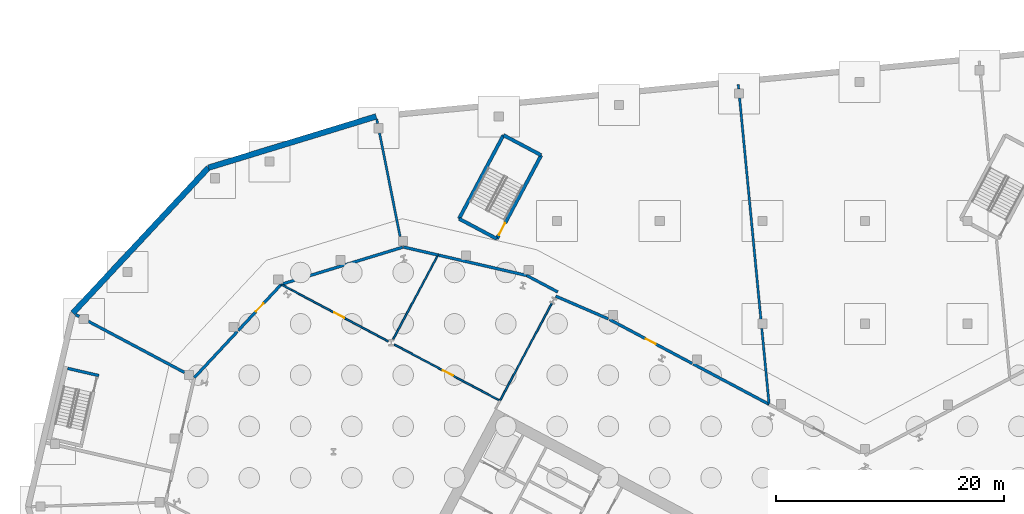
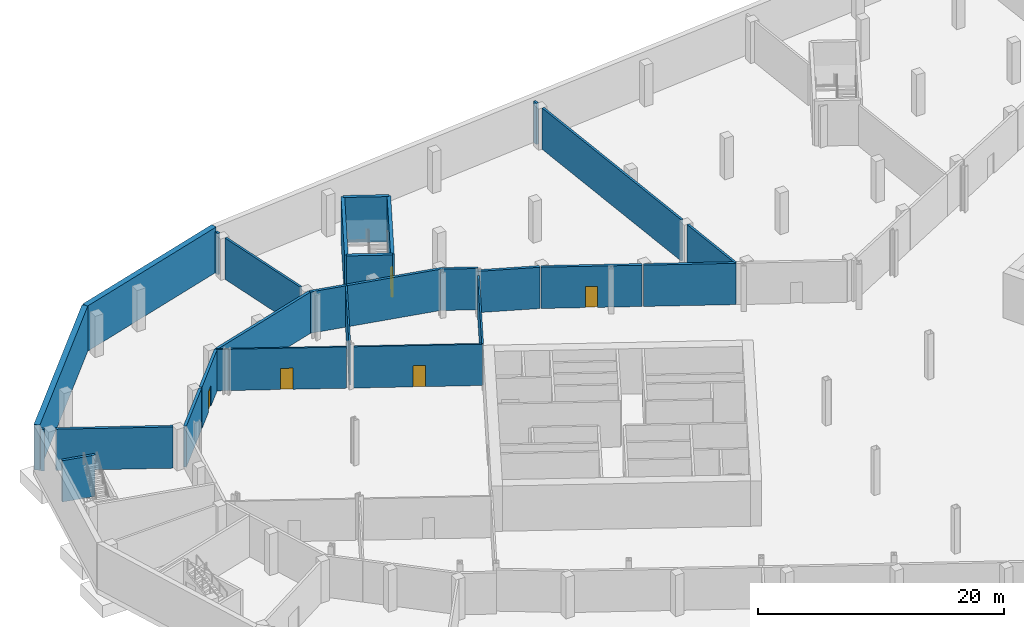
# One storey, part 16 of 29: 28 walls, 5 doors, 5 openings.
"""IFC4 building model written with IfcOpenShell, lengths in metres."""

from ifc_helpers import new_model, si_unit, direction, frame, frame_2d, origin, place, context, subcontext, project, spatial, rectangle, extrude, material, layer, layer_set, type_object, element, fill, save


model = new_model("IFC4")

# Units and contexts
model_context = context("Model", 3, precision=1e-05, world=origin(), true_north=direction((0.0, 1.0)))
body_context = subcontext(model_context, "Body", "Model", "MODEL_VIEW")
ifc_project = project(units=[si_unit("LENGTHUNIT", "METRE"), si_unit("AREAUNIT", "SQUARE_METRE"), si_unit("VOLUMEUNIT", "CUBIC_METRE"), si_unit("PLANEANGLEUNIT", "RADIAN"), si_unit("MASSUNIT", "GRAM", prefix="KILO")], contexts=[model_context])

# Site, building, storey
site_placement = place(None, origin())
site = spatial("IfcSite", under=ifc_project, at=site_placement, CompositionType="ELEMENT")
building_placement = place(site_placement, origin())
building = spatial("IfcBuilding", under=site, at=building_placement, Name="Cormorant Relay Tower", CompositionType="ELEMENT")
storey_placement = place(building_placement, frame((0.0, 0.0, -9.0)))
storey = spatial("IfcBuildingStorey", under=building, at=storey_placement, Name="B2", CompositionType="ELEMENT", Elevation=-9.0)

# Walls
ifc_material_1 = material(Name="Concrete masonry 20 MPa", Category="masonry")
ifc_layer_1 = layer(ifc_material_1, 0.25)
ifc_layer_set_1 = layer_set([ifc_layer_1], Name="Fire separation wall 250")
wall_type_1 = type_object("IfcWallType", Name="Fire separation wall 250", PredefinedType="SOLIDWALL", material=ifc_layer_set_1)
wall_1_placement = place(storey_placement, frame((-37.4501953125, 42.033203125, 0.0), z_axis=(0.0, 0.0, 1.0), x_axis=(0.97436957048, -0.224953195404, 0.0)))
element("IfcWall", 1, at=wall_1_placement, inside=storey, type_object=wall_type_1, Name="Partition", PredefinedType="SOLIDWALL", context=body_context, shape_type="SweptSolid", body=[
    extrude(rectangle(XDim=7.9931640625, YDim=0.25, at=frame_2d((3.99658203125, 0.0))), origin(), (0.0, 0.0, 1.0), 4.10009765625),
])
wall_2_placement = place(storey_placement, frame((-29.661865234375, 40.235107421875, 0.0), z_axis=(0.0, 0.0, 1.0), x_axis=(0.882951412921, -0.469464378224, 0.0)))
element("IfcWall", 2, at=wall_2_placement, inside=storey, type_object=wall_type_1, Name="Partition", PredefinedType="SOLIDWALL", context=body_context, shape_type="SweptSolid", body=[
    extrude(rectangle(XDim=3.0791015625, YDim=0.25, at=frame_2d((1.53955078125, 0.0))), origin(), (0.0, 0.0, 1.0), 4.10009765625),
])
wall_3_placement = place(storey_placement, frame((-40.4873046875, 42.734130859375, 0.0), z_axis=(0.0, 0.0, 1.0), x_axis=(0.974387235192, -0.224876668186, 0.0)))
element("IfcWall", 3, at=wall_3_placement, inside=storey, type_object=wall_type_1, Name="Partition", PredefinedType="SOLIDWALL", context=body_context, shape_type="SweptSolid", body=[
    extrude(rectangle(XDim=3.116943359375, YDim=0.25, at=frame_2d((1.55859375, 0.0))), origin(), (0.0, 0.0, 1.0), 4.10009765625),
])
wall_4_placement = place(storey_placement, frame((-27.13427734375, 38.429931640625, 0.0), z_axis=(0.0, 0.0, 1.0), x_axis=(0.918029849315, -0.396511280756, 0.0)))
element("IfcWall", 4, at=wall_4_placement, inside=storey, type_object=wall_type_1, Name="Partition", PredefinedType="SOLIDWALL", context=body_context, shape_type="SweptSolid", body=[
    extrude(rectangle(XDim=5.032958984375, YDim=0.25, at=frame_2d((2.5166015625, 0.0))), origin(), (0.0, 0.0, 1.0), 4.10009765625),
])

# Wall, opening, door
wall_5_placement = place(storey_placement, frame((-22.4267578125, 36.387939453125, 0.0), z_axis=(0.0, 0.0, 1.0), x_axis=(0.882947828207, -0.46947112016, 0.0)))
wall_5 = element("IfcWall", 5, at=wall_5_placement, inside=storey, type_object=wall_type_1, Name="Partition", PredefinedType="SOLIDWALL", context=body_context, shape_type="SweptSolid", body=[
    extrude(rectangle(XDim=8.249267578125, YDim=0.25, at=frame_2d((4.12451171875, 0.0))), origin(), (0.0, 0.0, 1.0), 4.10009765625),
])
opening_1_placement = place(wall_5_placement, frame((3.625, 0.0, 0.0)))
opening_1 = element("IfcOpeningElement", 6, at=opening_1_placement, cuts=wall_5, Name="Opening PD1-013", PredefinedType="OPENING", context=body_context, shape_type="SweptSolid", body=[
    extrude(rectangle(XDim=1.0, YDim=2.10009765625, at=frame_2d((0.5, 1.050048828125))), frame((0.0, 0.135009765625, 0.0), z_axis=(0.0, -1.0, 0.0), x_axis=(1.0, 0.0, 0.0)), (0.0, 0.0, 1.0), 0.27001953125),
])
ifc_material_2 = material(Name="Steel door leaf", Category="steel")
door_type_1 = type_object("IfcDoorType", Name="Door single 1000", OperationType="SINGLE_SWING_LEFT", PredefinedType="DOOR", material=ifc_material_2)
door_1_placement = place(opening_1_placement, origin())
door_1 = element("IfcDoor", 7, at=door_1_placement, inside=storey, type_object=door_type_1, Name="Door", OperationType="SINGLE_SWING_RIGHT", OverallHeight=2.10009765625, OverallWidth=1.0, PredefinedType="DOOR", context=body_context, shape_type="SweptSolid", body=[
    extrude(rectangle(XDim=1.0, YDim=2.10009765625, at=frame_2d((0.5, 1.050048828125))), frame((0.0, 0.02490234375, 0.0), z_axis=(0.0, -1.0, 0.0), x_axis=(1.0, 0.0, 0.0)), (0.0, 0.0, 1.0), 0.050048828125),
])
fill(opening_1, door_1)

# Walls
wall_6_placement = place(storey_placement, frame((-15.05615234375, 32.468994140625, 0.0), z_axis=(0.0, 0.0, 1.0), x_axis=(0.882954463929, -0.469458639954, 0.0)))
element("IfcWall", 8, at=wall_6_placement, inside=storey, type_object=wall_type_1, Name="Partition", PredefinedType="SOLIDWALL", context=body_context, shape_type="SweptSolid", body=[
    extrude(rectangle(XDim=7.52978515625, YDim=0.25, at=frame_2d((3.764892578125, 0.0))), origin(), (0.0, 0.0, 1.0), 4.10009765625),
])
wall_7_placement = place(storey_placement, frame((-69.21728515625, 36.803466796875, 0.0), z_axis=(0.0, 0.0, 1.0), x_axis=(0.882841235484, -0.469671537278, 0.0)))
element("IfcWall", 9, at=wall_7_placement, inside=storey, type_object=wall_type_1, Name="Partition", PredefinedType="SOLIDWALL", context=body_context, shape_type="SweptSolid", body=[
    extrude(rectangle(XDim=0.345703125, YDim=0.25, at=frame_2d((0.1728515625, 0.0))), origin(), (0.0, 0.0, 1.0), 4.10009765625),
])
wall_8_placement = place(storey_placement, frame((-68.112060546875, 36.2158203125, 0.0), z_axis=(0.0, 0.0, 1.0), x_axis=(0.882949504028, -0.469467968382, 0.0)))
element("IfcWall", 10, at=wall_8_placement, inside=storey, type_object=wall_type_1, Name="Partition", PredefinedType="SOLIDWALL", context=body_context, shape_type="SweptSolid", body=[
    extrude(rectangle(XDim=9.550048828125, YDim=0.25, at=frame_2d((4.77490234375, 0.0))), origin(), (0.0, 0.0, 1.0), 4.10009765625),
])
wall_9_placement = place(storey_placement, frame((-58.823974609375, 31.272705078125, 0.0), z_axis=(0.0, 0.0, 1.0), x_axis=(0.681856343792, 0.73148610816, 0.0)))
element("IfcWall", 11, at=wall_9_placement, inside=storey, type_object=wall_type_1, Name="Partition", PredefinedType="SOLIDWALL", context=body_context, shape_type="SweptSolid", body=[
    extrude(rectangle(XDim=5.519287109375, YDim=0.25, at=frame_2d((2.759765625, 0.0))), origin(), (0.0, 0.0, 1.0), 4.10009765625),
])

# Wall, opening, door
wall_10_placement = place(storey_placement, frame((-54.971923828125, 35.405029296875, 0.0), z_axis=(0.0, 0.0, 1.0), x_axis=(0.681862401645, 0.731480461273, 0.0)))
wall_10 = element("IfcWall", 12, at=wall_10_placement, inside=storey, type_object=wall_type_1, Name="Partition", PredefinedType="SOLIDWALL", context=body_context, shape_type="SweptSolid", body=[
    extrude(rectangle(XDim=5.535400390625, YDim=0.25, at=frame_2d((2.767578125, 0.0))), origin(), (0.0, 0.0, 1.0), 4.10009765625),
])
opening_2_placement = place(wall_10_placement, frame((2.26806640625, 0.0, 0.0)))
opening_2 = element("IfcOpeningElement", 13, at=opening_2_placement, cuts=wall_10, Name="Opening PD1-014", PredefinedType="OPENING", context=body_context, shape_type="SweptSolid", body=[
    extrude(rectangle(XDim=1.0, YDim=2.10009765625, at=frame_2d((0.5, 1.050048828125))), frame((0.0, 0.135009765625, 0.0), z_axis=(0.0, -1.0, 0.0), x_axis=(1.0, 0.0, 0.0)), (0.0, 0.0, 1.0), 0.27001953125),
])
door_2_placement = place(opening_2_placement, origin())
door_2 = element("IfcDoor", 14, at=door_2_placement, inside=storey, type_object=door_type_1, Name="Door", OperationType="SINGLE_SWING_RIGHT", OverallHeight=2.10009765625, OverallWidth=1.0, PredefinedType="DOOR", context=body_context, shape_type="SweptSolid", body=[
    extrude(rectangle(XDim=1.0, YDim=2.10009765625, at=frame_2d((0.5, 1.050048828125))), frame((0.0, 0.02490234375, 0.0), z_axis=(0.0, -1.0, 0.0), x_axis=(1.0, 0.0, 0.0)), (0.0, 0.0, 1.0), 0.050048828125),
])
fill(opening_2, door_2)

# Walls
wall_11_placement = place(storey_placement, frame((-51.190185546875, 39.4619140625, 0.0), z_axis=(0.0, 0.0, 1.0), x_axis=(0.956306774144, 0.29236510347, 0.0)))
element("IfcWall", 15, at=wall_11_placement, inside=storey, type_object=wall_type_1, Name="Partition", PredefinedType="SOLIDWALL", context=body_context, shape_type="SweptSolid", body=[
    extrude(rectangle(XDim=11.129638671875, YDim=0.25, at=frame_2d((5.56494140625, 0.0))), origin(), (0.0, 0.0, 1.0), 4.10009765625),
])
wall_12_placement = place(storey_placement, frame((-69.924560546875, 32.09033203125, 0.0), z_axis=(0.0, 0.0, 1.0), x_axis=(0.974369148124, -0.224955024802, 0.0)))
element("IfcWall", 16, at=wall_12_placement, inside=storey, type_object=wall_type_1, Name="Stair enclosure wall", PredefinedType="SOLIDWALL", context=body_context, shape_type="SweptSolid", body=[
    extrude(rectangle(XDim=2.800048828125, YDim=0.25, at=frame_2d((1.39990234375, 0.0))), origin(), (0.0, 0.0, 1.0), 4.10009765625),
])

# Wall, opening, door
ifc_material_3 = material(Name="Gypsum board on steel stud", Category="steel")
ifc_layer_2 = layer(ifc_material_3, 0.14990234375)
ifc_layer_set_2 = layer_set([ifc_layer_2], Name="Partition 150")
wall_type_2 = type_object("IfcWallType", Name="Partition 150", PredefinedType="PARTITIONING", material=ifc_layer_set_2)
wall_13_placement = place(storey_placement, frame((-32.013427734375, 29.253662109375, 0.0), z_axis=(0.0, 0.0, 1.0), x_axis=(-0.882951328121, 0.469464537713, 0.0)))
wall_13 = element("IfcWall", 17, at=wall_13_placement, inside=storey, type_object=wall_type_2, Name="Partition", PredefinedType="PARTITIONING", context=body_context, shape_type="SweptSolid", body=[
    extrude(rectangle(XDim=10.502197265625, YDim=0.14990234375, at=frame_2d((5.2509765625, 0.0))), origin(), (0.0, 0.0, 1.0), 4.10009765625),
])
opening_3_placement = place(wall_13_placement, frame((4.673095703125, 0.0, 0.0)))
opening_3 = element("IfcOpeningElement", 18, at=opening_3_placement, cuts=wall_13, Name="Opening PD1-019", PredefinedType="OPENING", context=body_context, shape_type="SweptSolid", body=[
    extrude(rectangle(XDim=1.0, YDim=2.10009765625, at=frame_2d((0.5, 1.050048828125))), frame((0.0, 0.0849609375, 0.0), z_axis=(0.0, -1.0, 0.0), x_axis=(1.0, 0.0, 0.0)), (0.0, 0.0, 1.0), 0.169921875),
])
door_3_placement = place(opening_3_placement, frame((1.0, 0.0, 0.0), z_axis=(0.0, 0.0, 1.0), x_axis=(-1.0, 0.0, 0.0)))
door_3 = element("IfcDoor", 19, at=door_3_placement, inside=storey, type_object=door_type_1, Name="Door", OperationType="SINGLE_SWING_RIGHT", OverallHeight=2.10009765625, OverallWidth=1.0, PredefinedType="DOOR", context=body_context, shape_type="SweptSolid", body=[
    extrude(rectangle(XDim=1.0, YDim=2.10009765625, at=frame_2d((0.5, 1.050048828125))), frame((0.0, 0.02490234375, 0.0), z_axis=(0.0, -1.0, 0.0), x_axis=(1.0, 0.0, 0.0)), (0.0, 0.0, 1.0), 0.050048828125),
])
fill(opening_3, door_3)

wall_14_placement = place(storey_placement, frame((-41.8115234375, 34.46337890625, 0.0), z_axis=(0.0, 0.0, 1.0), x_axis=(-0.882945529205, 0.469475443935, 0.0)))
wall_14 = element("IfcWall", 20, at=wall_14_placement, inside=storey, type_object=wall_type_2, Name="Partition", PredefinedType="PARTITIONING", context=body_context, shape_type="SweptSolid", body=[
    extrude(rectangle(XDim=9.568603515625, YDim=0.14990234375, at=frame_2d((4.7841796875, 0.0))), origin(), (0.0, 0.0, 1.0), 4.10009765625),
])
opening_4_placement = place(wall_14_placement, frame((4.361572265625, 0.0, 0.0)))
opening_4 = element("IfcOpeningElement", 21, at=opening_4_placement, cuts=wall_14, Name="Opening PD1-020", PredefinedType="OPENING", context=body_context, shape_type="SweptSolid", body=[
    extrude(rectangle(XDim=1.0, YDim=2.10009765625, at=frame_2d((0.5, 1.050048828125))), frame((0.0, 0.0849609375, 0.0), z_axis=(0.0, -1.0, 0.0), x_axis=(1.0, 0.0, 0.0)), (0.0, 0.0, 1.0), 0.169921875),
])
door_4_placement = place(opening_4_placement, frame((1.0, 0.0, 0.0), z_axis=(0.0, 0.0, 1.0), x_axis=(-1.0, 0.0, 0.0)))
door_4 = element("IfcDoor", 22, at=door_4_placement, inside=storey, type_object=door_type_1, Name="Door", OperationType="SINGLE_SWING_RIGHT", OverallHeight=2.10009765625, OverallWidth=1.0, PredefinedType="DOOR", context=body_context, shape_type="SweptSolid", body=[
    extrude(rectangle(XDim=1.0, YDim=2.10009765625, at=frame_2d((0.5, 1.050048828125))), frame((0.0, 0.02490234375, 0.0), z_axis=(0.0, -1.0, 0.0), x_axis=(1.0, 0.0, 0.0)), (0.0, 0.0, 1.0), 0.050048828125),
])
fill(opening_4, door_4)

# Walls
wall_15_placement = place(storey_placement, frame((-50.260009765625, 38.95556640625, 0.0), z_axis=(0.0, 0.0, 1.0), x_axis=(-0.882925119508, 0.469513826572, 0.0)))
element("IfcWall", 23, at=wall_15_placement, inside=storey, type_object=wall_type_2, Name="Partition", PredefinedType="PARTITIONING", context=body_context, shape_type="SweptSolid", body=[
    extrude(rectangle(XDim=1.061767578125, YDim=0.14990234375, at=frame_2d((0.53076171875, 0.0))), origin(), (0.0, 0.0, 1.0), 4.10009765625),
])
wall_16_placement = place(storey_placement, frame((-37.4501953125, 42.033203125, 0.0), z_axis=(0.0, 0.0, 1.0), x_axis=(-0.46946644805, -0.882950312393, 0.0)))
element("IfcWall", 24, at=wall_16_placement, inside=storey, type_object=wall_type_2, Name="Partition", PredefinedType="PARTITIONING", context=body_context, shape_type="SweptSolid", body=[
    extrude(rectangle(XDim=8.373046875, YDim=0.14990234375, at=frame_2d((4.1865234375, 0.0))), origin(), (0.0, 0.0, 1.0), 4.10009765625),
])
wall_17_placement = place(storey_placement, frame((-32.015380859375, 29.25, 0.0), z_axis=(0.0, 0.0, 1.0), x_axis=(0.469462919124, 0.882952188721, 0.0)))
element("IfcWall", 25, at=wall_17_placement, inside=storey, type_object=wall_type_2, Name="Partition", PredefinedType="PARTITIONING", context=body_context, shape_type="SweptSolid", body=[
    extrude(rectangle(XDim=9.687255859375, YDim=0.14990234375, at=frame_2d((4.84375, 0.0))), origin(), (0.0, 0.0, 1.0), 4.10009765625),
])
ifc_material_4 = material(Name="Concrete masonry 20 MPa", Category="masonry")
ifc_layer_3 = layer(ifc_material_4, 0.199951171875)
ifc_layer_set_3 = layer_set([ifc_layer_3], Name="Plant room wall 200")
wall_type_3 = type_object("IfcWallType", Name="Plant room wall 200", PredefinedType="PARTITIONING", material=ifc_layer_set_3)
wall_18_placement = place(storey_placement, frame((-11.115966796875, 56.997802734375, 0.0), z_axis=(0.0, 0.0, 1.0), x_axis=(0.095794311802, -0.995401150203, 0.0)))
element("IfcWall", 26, at=wall_18_placement, inside=storey, type_object=wall_type_3, Name="Partition", PredefinedType="PARTITIONING", context=body_context, shape_type="SweptSolid", body=[
    extrude(rectangle(XDim=0.3974609375, YDim=0.199951171875, at=frame_2d((0.19873046875, 0.0))), origin(), (0.0, 0.0, 1.0), 4.10009765625),
])
wall_19_placement = place(storey_placement, frame((-11.000732421875, 55.802001953125, 0.0), z_axis=(0.0, 0.0, 1.0), x_axis=(0.095942712783, -0.99538685739, 0.0)))
element("IfcWall", 27, at=wall_19_placement, inside=storey, type_object=wall_type_3, Name="Partition", PredefinedType="PARTITIONING", context=body_context, shape_type="SweptSolid", body=[
    extrude(rectangle(XDim=19.491943359375, YDim=0.199951171875, at=frame_2d((9.74609375, 0.0))), origin(), (0.0, 0.0, 1.0), 4.10009765625),
])
wall_20_placement = place(storey_placement, frame((-9.0537109375, 35.60009765625, 0.0), z_axis=(0.0, 0.0, 1.0), x_axis=(0.095939612703, -0.995387156193, 0.0)))
element("IfcWall", 28, at=wall_20_placement, inside=storey, type_object=wall_type_3, Name="Partition", PredefinedType="PARTITIONING", context=body_context, shape_type="SweptSolid", body=[
    extrude(rectangle(XDim=6.6953125, YDim=0.199951171875, at=frame_2d((3.34765625, 0.0))), origin(), (0.0, 0.0, 1.0), 4.10009765625),
])
wall_21_placement = place(storey_placement, frame((-42.81689453125, 53.932373046875, 0.0), z_axis=(0.0, 0.0, 1.0), x_axis=(0.194899081762, -0.980823301073, 0.0)))
element("IfcWall", 29, at=wall_21_placement, inside=storey, type_object=wall_type_3, Name="Partition", PredefinedType="PARTITIONING", context=body_context, shape_type="SweptSolid", body=[
    extrude(rectangle(XDim=0.3857421875, YDim=0.199951171875, at=frame_2d((0.19287109375, 0.0))), origin(), (0.0, 0.0, 1.0), 4.10009765625),
])
wall_22_placement = place(storey_placement, frame((-42.58251953125, 52.75390625, 0.0), z_axis=(0.0, 0.0, 1.0), x_axis=(0.195149741705, -0.980773459221, 0.0)))
element("IfcWall", 30, at=wall_22_placement, inside=storey, type_object=wall_type_3, Name="Partition", PredefinedType="PARTITIONING", context=body_context, shape_type="SweptSolid", body=[
    extrude(rectangle(XDim=9.2802734375, YDim=0.199951171875, at=frame_2d((4.64013671875, 0.0))), origin(), (0.0, 0.0, 1.0), 4.10009765625),
])
ifc_material_5 = material(Name="Concrete 50 MPa", Category="concrete")
ifc_layer_4 = layer(ifc_material_5, 0.300048828125)
ifc_layer_set_4 = layer_set([ifc_layer_4], Name="Remote stair wall 300")
wall_type_4 = type_object("IfcWallType", Name="Remote stair wall 300", PredefinedType="SHEAR", material=ifc_layer_set_4)
wall_23_placement = place(storey_placement, frame((-31.707275390625, 52.54443359375, 0.0), z_axis=(0.0, 0.0, 1.0), x_axis=(0.882948761726, -0.46946936446, 0.0)))
element("IfcWall", 31, at=wall_23_placement, inside=storey, type_object=wall_type_4, Name="B2 exit stair RN2 wall", PredefinedType="SHEAR", context=body_context, shape_type="SweptSolid", body=[
    extrude(rectangle(XDim=3.75, YDim=0.300048828125, at=frame_2d((1.875, 0.0))), origin(), (0.0, 0.0, 1.0), 4.5),
])

# Wall, opening, door
wall_24_placement = place(storey_placement, frame((-28.396240234375, 50.783935546875, 0.0), z_axis=(0.0, 0.0, 1.0), x_axis=(-0.469464178475, -0.882951519127, 0.0)))
wall_24 = element("IfcWall", 32, at=wall_24_placement, inside=storey, type_object=wall_type_4, Name="B2 exit stair RN2 wall", PredefinedType="SHEAR", context=body_context, shape_type="SweptSolid", body=[
    extrude(rectangle(XDim=8.2998046875, YDim=0.300048828125, at=frame_2d((4.14990234375, 0.0))), origin(), (0.0, 0.0, 1.0), 4.5),
])
opening_5_placement = place(wall_24_placement, frame((6.72509765625, 0.0, 0.0)))
opening_5 = element("IfcOpeningElement", 33, at=opening_5_placement, cuts=wall_24, Name="Opening CDB-006", PredefinedType="OPENING", context=body_context, shape_type="SweptSolid", body=[
    extrude(rectangle(XDim=1.199951171875, YDim=2.10009765625, at=frame_2d((0.60009765625, 1.050048828125))), frame((0.0, 0.159912109375, 0.0), z_axis=(0.0, -1.0, 0.0), x_axis=(1.0, 0.0, 0.0)), (0.0, 0.0, 1.0), 0.320068359375),
])
ifc_material_6 = material(Name="Steel fire door", Category="steel")
door_type_2 = type_object("IfcDoorType", Name="Core stair door 1200x2100", OperationType="SINGLE_SWING_LEFT", PredefinedType="DOOR", material=ifc_material_6)
door_5_placement = place(opening_5_placement, frame((1.199951171875, 0.0, 0.0), z_axis=(0.0, 0.0, 1.0), x_axis=(-1.0, 0.0, 0.0)))
door_5 = element("IfcDoor", 34, at=door_5_placement, inside=storey, type_object=door_type_2, Name="Exit stair RN2 door", OperationType="SINGLE_SWING_LEFT", OverallHeight=2.10009765625, OverallWidth=1.199951171875, PredefinedType="DOOR", context=body_context, shape_type="SweptSolid", body=[
    extrude(rectangle(XDim=1.199951171875, YDim=2.10009765625, at=frame_2d((0.60009765625, 1.050048828125))), frame((0.0, 0.02490234375, 0.0), z_axis=(0.0, -1.0, 0.0), x_axis=(1.0, 0.0, 0.0)), (0.0, 0.0, 1.0), 0.050048828125),
])
fill(opening_5, door_5)

# Walls
wall_25_placement = place(storey_placement, frame((-32.292724609375, 43.45556640625, 0.0), z_axis=(0.0, 0.0, 1.0), x_axis=(-0.882948761726, 0.46946936446, 0.0)))
element("IfcWall", 35, at=wall_25_placement, inside=storey, type_object=wall_type_4, Name="B2 exit stair RN2 wall", PredefinedType="SHEAR", context=body_context, shape_type="SweptSolid", body=[
    extrude(rectangle(XDim=3.75, YDim=0.300048828125, at=frame_2d((1.875, 0.0))), origin(), (0.0, 0.0, 1.0), 4.5),
])
wall_26_placement = place(storey_placement, frame((-35.603759765625, 45.216064453125, 0.0), z_axis=(0.0, 0.0, 1.0), x_axis=(0.469464178475, 0.882951519127, 0.0)))
element("IfcWall", 36, at=wall_26_placement, inside=storey, type_object=wall_type_4, Name="B2 exit stair RN2 wall", PredefinedType="SHEAR", context=body_context, shape_type="SweptSolid", body=[
    extrude(rectangle(XDim=8.2998046875, YDim=0.300048828125, at=frame_2d((4.14990234375, 0.0))), origin(), (0.0, 0.0, 1.0), 4.5),
])
ifc_material_7 = material(Name="Concrete 40 MPa", Category="concrete")
ifc_layer_5 = layer(ifc_material_7, 0.5)
ifc_layer_set_5 = layer_set([ifc_layer_5], Name="Retaining wall 500")
wall_type_5 = type_object("IfcWallType", Name="Retaining wall 500", PredefinedType="SOLIDWALL", material=ifc_layer_set_5)
wall_27_placement = place(storey_placement, frame((-42.867919921875, 54.188720703125, 0.0), z_axis=(0.0, 0.0, 1.0), x_axis=(-0.956302408896, -0.292379381524, 0.0)))
element("IfcWall", 37, at=wall_27_placement, inside=storey, type_object=wall_type_5, Name="Retaining wall", PredefinedType="SOLIDWALL", context=body_context, shape_type="SweptSolid", body=[
    extrude(rectangle(XDim=15.385986328125, YDim=0.5, at=frame_2d((7.69287109375, 0.0))), origin(), (0.0, 0.0, 1.0), 4.5),
])
wall_28_placement = place(storey_placement, frame((-57.58154296875, 49.690185546875, 0.0), z_axis=(0.0, 0.0, 1.0), x_axis=(-0.681995885164, -0.731356009491, 0.0)))
element("IfcWall", 38, at=wall_28_placement, inside=storey, type_object=wall_type_5, Name="Retaining wall", PredefinedType="SOLIDWALL", context=body_context, shape_type="SweptSolid", body=[
    extrude(rectangle(XDim=17.43505859375, YDim=0.5, at=frame_2d((8.717529296875, 0.0))), origin(), (0.0, 0.0, 1.0), 4.5),
])

save(model, "model.ifc")
